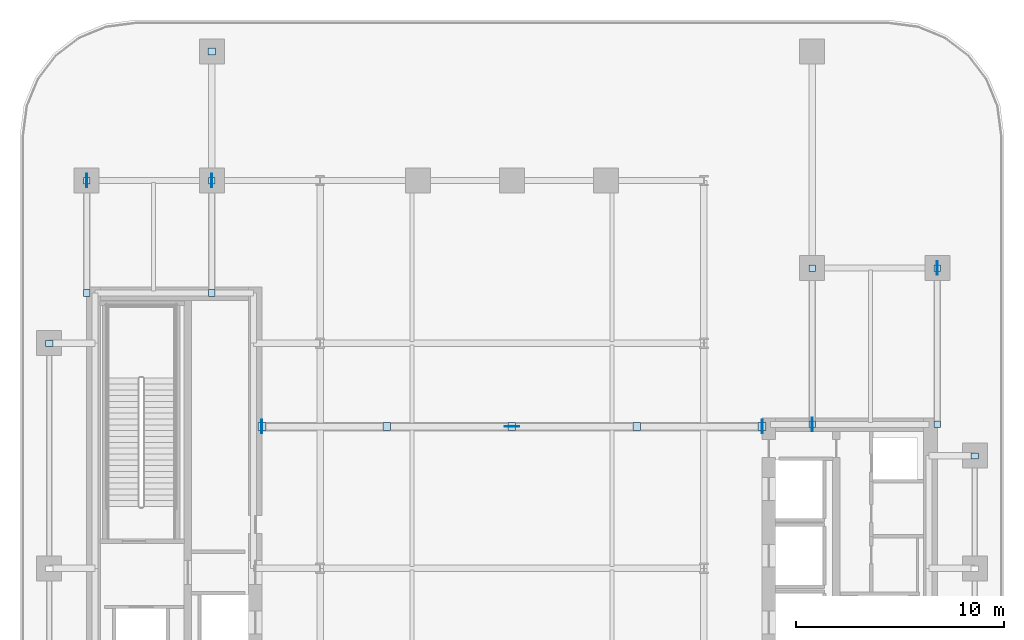
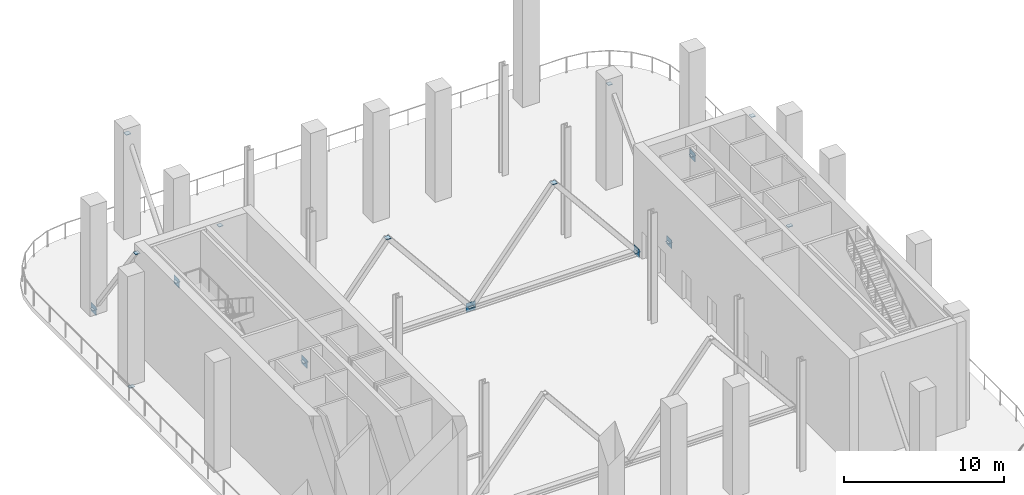
# One storey, part 4 of 13: 23 plates.
"""IFC4 building model written with IfcOpenShell, lengths in metres."""

from ifc_helpers import new_model, si_unit, direction, frame, origin, origin_2d, place, context, subcontext, project, spatial, rectangle, extrude, material, layer, layer_set, type_object, element, save


model = new_model("IFC4")

# Units and contexts
model_context = context("Model", 3, precision=1e-05, world=origin(), true_north=direction((0.0, 1.0)))
body_context = subcontext(model_context, "Body", "Model", "MODEL_VIEW")
ifc_project = project(units=[si_unit("LENGTHUNIT", "METRE"), si_unit("AREAUNIT", "SQUARE_METRE"), si_unit("VOLUMEUNIT", "CUBIC_METRE"), si_unit("PLANEANGLEUNIT", "RADIAN"), si_unit("MASSUNIT", "GRAM", prefix="KILO")], contexts=[model_context])

# Site, building, storey
site_placement = place(None, origin())
site = spatial("IfcSite", under=ifc_project, at=site_placement, CompositionType="ELEMENT")
building_placement = place(site_placement, origin())
building = spatial("IfcBuilding", under=site, at=building_placement, Name="Khairoan Windgate Tower", CompositionType="ELEMENT")
storey_placement = place(building_placement, frame((0.0, 0.0, 152.0)))
storey = spatial("IfcBuildingStorey", under=building, at=storey_placement, Name="L35", CompositionType="ELEMENT", Elevation=152.0)

# Plates
ifc_material_1 = material(Name="Steel S355", Category="steel")
ifc_layer_1 = layer(ifc_material_1, 0.0400390625, Name="Steel S355")
ifc_layer_set_1 = layer_set([ifc_layer_1], Name="Steel S355")
plate_type_1 = type_object("IfcPlateType", Name="Hollow Section End-Cap Plate PL-CAP40", PredefinedType="SHEET", material=ifc_layer_set_1)
for number, where, z_axis, x_axis, name in (
    (1, (-22.199951171875, 10.784912109375, -0.544921875), (0.0, 0.0, 1.0), (0.0, 1.0, 0.0), "BM-SP-L35-035 steel end-cap plate 2"),
    (2, (22.199951171875, 5.385009765625, -0.544921875), (0.0, 0.0, 1.0), (0.0, 1.0, 0.0), "BM-SP-L35-063 steel end-cap plate 2"),
):
    element("IfcPlate", number, at=place(storey_placement, frame(where, z_axis=z_axis, x_axis=x_axis)), inside=storey, type_object=plate_type_1, Name=name, PredefinedType="SHEET", context=body_context, shape_type="SweptSolid", body=[
        extrude(rectangle(XDim=0.27001953125, YDim=0.3701171875, at=origin_2d()), origin(), (0.0, 0.0, 1.0), 0.0400390625),
    ])
for number, where, z_axis, x_axis, name in (
    (3, (-11.990478515625, 6.800048828125, 0.211669921875), (0.0, 0.0, 1.0), (1.0, 0.0, 0.0), "BR-OT-L35-05 steel end-cap plate 1"),
    (4, (-6.009521484375, 6.800048828125, 7.558349609375), (0.0, 0.0, 1.0), (1.0, 0.0, 0.0), "BR-OT-L35-05 steel end-cap plate 2"),
    (5, (-0.009521484375, 6.800048828125, 0.211669921875), (0.0, 0.0, 1.0), (1.0, 0.0, 0.0), "BR-OT-L35-06 steel end-cap plate 2"),
    (6, (5.990478515625, 6.800048828125, 7.558349609375), (0.0, 0.0, 1.0), (1.0, 0.0, 0.0), "BR-OT-L35-07 steel end-cap plate 2"),
    (7, (11.990478515625, 6.800048828125, 0.211669921875), (0.0, 0.0, 1.0), (1.0, 0.0, 0.0), "BR-OT-L35-08 steel end-cap plate 2"),
):
    element("IfcPlate", number, at=place(storey_placement, frame(where, z_axis=z_axis, x_axis=x_axis)), inside=storey, type_object=plate_type_1, Name=name, PredefinedType="SHEET", context=body_context, shape_type="SweptSolid", body=[
        extrude(rectangle(XDim=0.3701171875, YDim=0.3701171875, at=origin_2d()), origin(), (0.0, 0.0, 1.0), 0.0400390625),
    ])
for number, where, z_axis, x_axis, name in (
    (8, (-20.39990234375, 13.208740234375, 7.557861328125), (0.0, 0.0, 1.0), (0.0, 1.0, 0.0), "BR-BT-L35-02 steel end-cap plate 1"),
    (9, (-20.39990234375, 18.59130859375, 0.01220703125), (0.0, 0.0, 1.0), (0.0, 1.0, 0.0), "BR-BT-L35-02 steel end-cap plate 2"),
    (10, (-14.39990234375, 13.208740234375, 7.557861328125), (0.0, 0.0, 1.0), (0.0, 1.0, 0.0), "BR-BT-L35-04 steel end-cap plate 1"),
    (11, (-14.39990234375, 18.59130859375, 0.01220703125), (0.0, 0.0, 1.0), (0.0, 1.0, 0.0), "BR-BT-L35-04 steel end-cap plate 2"),
    (12, (14.39990234375, 6.91064453125, 0.0107421875), (0.0, 0.0, 1.0), (0.0, 1.0, 0.0), "BR-BT-L35-05 steel end-cap plate 1"),
    (13, (14.39990234375, 14.389404296875, 7.559326171875), (0.0, 0.0, 1.0), (0.0, 1.0, 0.0), "BR-BT-L35-05 steel end-cap plate 2"),
    (14, (20.39990234375, 6.91064453125, 7.559326171875), (0.0, 0.0, 1.0), (0.0, 1.0, 0.0), "BR-BT-L35-06 steel end-cap plate 1"),
    (15, (20.39990234375, 14.389404296875, 0.0107421875), (0.0, 0.0, 1.0), (0.0, 1.0, 0.0), "BR-BT-L35-06 steel end-cap plate 2"),
):
    element("IfcPlate", number, at=place(storey_placement, frame(where, z_axis=z_axis, x_axis=x_axis)), inside=storey, type_object=plate_type_1, Name=name, PredefinedType="SHEET", context=body_context, shape_type="SweptSolid", body=[
        extrude(rectangle(XDim=0.320068359375, YDim=0.320068359375, at=origin_2d()), origin(), (0.0, 0.0, 1.0), 0.0400390625),
    ])
plate_1_placement = place(storey_placement, frame((-14.39990234375, 24.79052734375, 7.558349609375), z_axis=(0.0, 0.0, 1.0), x_axis=(0.0, 1.0, 0.0)))
element("IfcPlate", 16, at=plate_1_placement, inside=storey, type_object=plate_type_1, Name="BR-CR-1-L35 steel end-cap plate 2", PredefinedType="SHEET", context=body_context, shape_type="SweptSolid", body=[
    extrude(rectangle(XDim=0.343994140625, YDim=0.343994140625, at=origin_2d()), origin(), (0.0, 0.0, 1.0), 0.0400390625),
])
ifc_material_2 = material(Name="Steel S355", Category="steel")
ifc_layer_2 = layer(ifc_material_2, 0.031982421875, Name="Steel S355")
ifc_layer_set_2 = layer_set([ifc_layer_2], Name="Steel S355")
plate_type_2 = type_object("IfcPlateType", Name="Outrigger Node Gusset Plate PL-GUS32", PredefinedType="SHEET", material=ifc_layer_set_2)
for number, where, z_axis, x_axis, name in (
    (17, (-12.0, 6.800048828125, -0.10498046875), (0.0, 0.0, 1.0), (1.0, 0.0, 0.0), "L35 Outrigger Chord West End Gusset"),
    (18, (12.0, 6.800048828125, -0.10498046875), (0.0, 0.0, 1.0), (1.0, 0.0, 0.0), "L35 Outrigger Chord East End Gusset"),
):
    element("IfcPlate", number, at=place(storey_placement, frame(where, z_axis=z_axis, x_axis=x_axis)), inside=storey, type_object=plate_type_2, Name=name, PredefinedType="SHEET", context=body_context, shape_type="SweptSolid", body=[
        extrude(rectangle(XDim=0.031982421875, YDim=0.64990234375, at=origin_2d()), origin(), (0.0, 0.0, 1.0), 0.64990234375),
    ])
plate_2_placement = place(storey_placement, frame((0.0, 6.800048828125, -0.1201171875), z_axis=(0.0, 0.0, 1.0), x_axis=(1.0, 0.0, 0.0)))
element("IfcPlate", 19, at=plate_2_placement, inside=storey, type_object=plate_type_2, Name="L35 Outrigger Brace End Gusset 06", PredefinedType="SHEET", context=body_context, shape_type="SweptSolid", body=[
    extrude(rectangle(XDim=0.679931640625, YDim=0.031982421875, at=origin_2d()), origin(), (0.0, 0.0, 1.0), 0.679931640625),
])
for number, where, z_axis, x_axis, name in (
    (20, (-20.39990234375, 18.60009765625, -0.304931640625), (0.0, 0.0, 1.0), (1.0, 0.0, 0.0), "L35 Belt Brace End Gusset 02"),
    (21, (-14.39990234375, 18.60009765625, -0.304931640625), (0.0, 0.0, 1.0), (1.0, 0.0, 0.0), "L35 Belt Brace End Gusset 04"),
    (22, (14.39990234375, 6.89990234375, -0.304931640625), (0.0, 0.0, 1.0), (1.0, 0.0, 0.0), "L35 Belt Brace Start Gusset 05"),
    (23, (20.39990234375, 14.39990234375, -0.304931640625), (0.0, 0.0, 1.0), (1.0, 0.0, 0.0), "L35 Belt Brace End Gusset 06"),
):
    element("IfcPlate", number, at=place(storey_placement, frame(where, z_axis=z_axis, x_axis=x_axis)), inside=storey, type_object=plate_type_2, Name=name, PredefinedType="SHEET", context=body_context, shape_type="SweptSolid", body=[
        extrude(rectangle(XDim=0.031982421875, YDim=0.64990234375, at=origin_2d()), origin(), (0.0, 0.0, 1.0), 0.64990234375),
    ])

save(model, "model.ifc")
